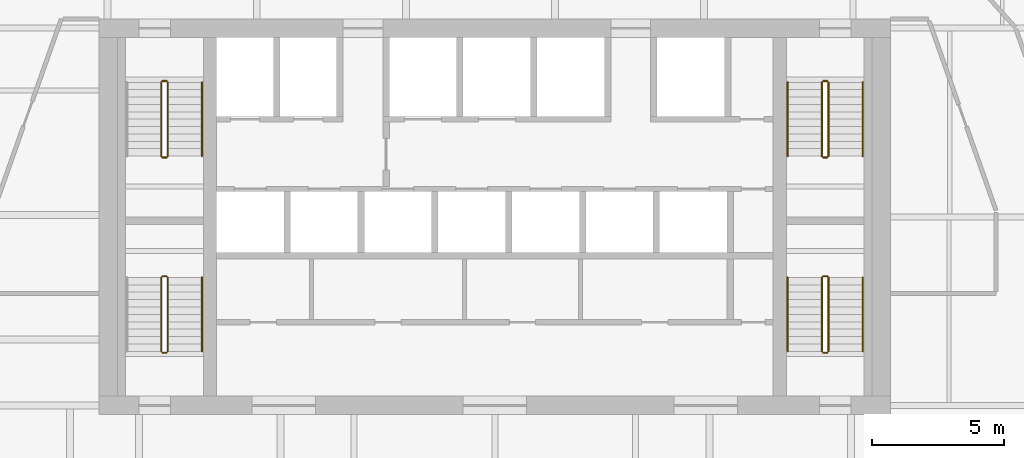
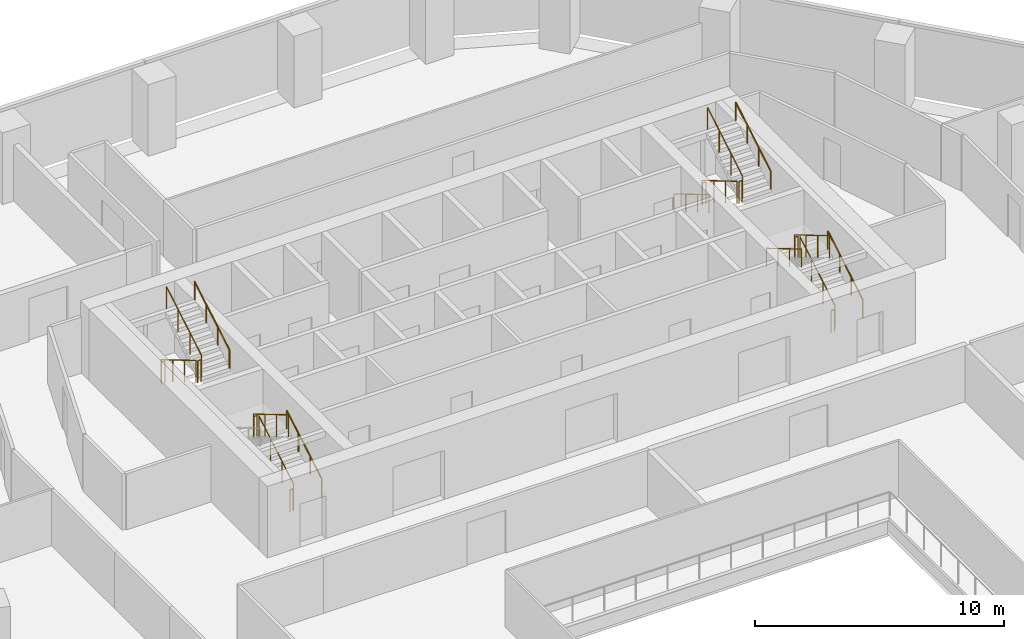
# One storey, part 15 of 16: 22 railings.
"""IFC4 building model written with IfcOpenShell, lengths in metres."""

from ifc_helpers import new_model, si_unit, direction, frame, origin, origin_2d, place, context, subcontext, project, spatial, circle, extrude, material, type_object, element, save


model = new_model("IFC4")

# Units and contexts
model_context = context("Model", 3, precision=1e-05, world=origin(), true_north=direction((0.0, 1.0)))
body_context = subcontext(model_context, "Body", "Model", "MODEL_VIEW")
ifc_project = project(units=[si_unit("LENGTHUNIT", "METRE"), si_unit("AREAUNIT", "SQUARE_METRE"), si_unit("VOLUMEUNIT", "CUBIC_METRE"), si_unit("PLANEANGLEUNIT", "RADIAN"), si_unit("MASSUNIT", "GRAM", prefix="KILO")], contexts=[model_context])

# Site, building, storey
site_placement = place(None, origin())
site = spatial("IfcSite", under=ifc_project, at=site_placement, CompositionType="ELEMENT")
building_placement = place(site_placement, origin())
building = spatial("IfcBuilding", under=site, at=building_placement, Name="Isthmus Gate Tower", CompositionType="ELEMENT")
storey_placement = place(building_placement, frame((0.0, 0.0, 185.39990234375)))
storey = spatial("IfcBuildingStorey", under=building, at=storey_placement, Name="L46", CompositionType="ELEMENT", Elevation=185.39990234375)

# Railings
ifc_material_1 = material(Name="Stainless steel balustrade", Category="steel")
railing_type_1 = type_object("IfcRailingType", Name="STAIR GUARD 1100", PredefinedType="GUARDRAIL", material=ifc_material_1)
railing_1_placement = place(storey_placement, frame((-12.64990234375, 12.60009765625, 0.166015625)))
element("IfcRailing", 1, at=railing_1_placement, inside=storey, type_object=railing_type_1, Name="L46 ST1 stair guard 1", PredefinedType="GUARDRAIL", context=body_context, shape_type="SweptSolid", body=[
    extrude(circle(Radius=0.02392578125, at=origin_2d()), frame((0.0, 0.0, 1.076171875), z_axis=(0.0, -0.860306154799, 0.50977771628), x_axis=(1.0, 0.0, 0.0)), (0.0, 0.0, 1.0), 3.254638671875),
    extrude(circle(Radius=0.02099609375, at=origin_2d()), origin(), (0.0, 0.0, 1.0), 1.052001953125),
    extrude(circle(Radius=0.02099609375, at=origin_2d()), frame((0.0, -0.933349609375, 0.552978515625)), (0.0, 0.0, 1.0), 1.052001953125),
    extrude(circle(Radius=0.02099609375, at=origin_2d()), frame((0.0, -1.86669921875, 1.106201171875)), (0.0, 0.0, 1.0), 1.052001953125),
    extrude(circle(Radius=0.02099609375, at=origin_2d()), frame((0.0, -2.800048828125, 1.6591796875)), (0.0, 0.0, 1.0), 1.052001953125),
])
railing_2_placement = place(storey_placement, frame((-12.60009765625, 9.75, 1.8251953125)))
element("IfcRailing", 2, at=railing_2_placement, inside=storey, type_object=railing_type_1, Name="L46 ST1 stair guard 2", PredefinedType="GUARDRAIL", context=body_context, shape_type="SweptSolid", body=[
    extrude(circle(Radius=0.02392578125, at=origin_2d()), frame((0.0, 0.0, 1.076171875), z_axis=(1.0, 0.0, 0.0), x_axis=(0.0, 1.0, 0.0)), (0.0, 0.0, 1.0), 0.150146484375),
    extrude(circle(Radius=0.02099609375, at=origin_2d()), origin(), (0.0, 0.0, 1.0), 1.052001953125),
    extrude(circle(Radius=0.02099609375, at=origin_2d()), frame((0.150146484375, 0.0, 0.0)), (0.0, 0.0, 1.0), 1.052001953125),
])
railing_3_placement = place(storey_placement, frame((-12.39990234375, 9.800048828125, 1.990966796875)))
element("IfcRailing", 3, at=railing_3_placement, inside=storey, type_object=railing_type_1, Name="L46 ST1 stair guard 3", PredefinedType="GUARDRAIL", context=body_context, shape_type="SweptSolid", body=[
    extrude(circle(Radius=0.02392578125, at=origin_2d()), frame((0.0, 0.0, 1.076171875), z_axis=(0.0, 0.860306154799, 0.50977771628), x_axis=(-1.0, 0.0, 0.0)), (0.0, 0.0, 1.0), 3.254638671875),
    extrude(circle(Radius=0.02099609375, at=origin_2d()), origin(), (0.0, 0.0, 1.0), 1.052001953125),
    extrude(circle(Radius=0.02099609375, at=origin_2d()), frame((0.0, 0.933349609375, 0.552978515625)), (0.0, 0.0, 1.0), 1.052001953125),
    extrude(circle(Radius=0.02099609375, at=origin_2d()), frame((0.0, 1.86669921875, 1.106201171875)), (0.0, 0.0, 1.0), 1.052001953125),
    extrude(circle(Radius=0.02099609375, at=origin_2d()), frame((0.0, 2.800048828125, 1.6591796875)), (0.0, 0.0, 1.0), 1.052001953125),
])
railing_4_placement = place(storey_placement, frame((-12.60009765625, 12.64990234375, 0.0)))
element("IfcRailing", 4, at=railing_4_placement, inside=storey, type_object=railing_type_1, Name="L46 ST1 stair guard 4", PredefinedType="GUARDRAIL", context=body_context, shape_type="SweptSolid", body=[
    extrude(circle(Radius=0.02392578125, at=origin_2d()), frame((0.0, 0.0, 1.076171875), z_axis=(1.0, 0.0, 0.0), x_axis=(0.0, 1.0, 0.0)), (0.0, 0.0, 1.0), 0.150146484375),
    extrude(circle(Radius=0.02099609375, at=origin_2d()), origin(), (0.0, 0.0, 1.0), 1.052001953125),
    extrude(circle(Radius=0.02099609375, at=origin_2d()), frame((0.150146484375, 0.0, 0.0)), (0.0, 0.0, 1.0), 1.052001953125),
])
railing_5_placement = place(storey_placement, frame((12.39990234375, 12.60009765625, 0.166015625)))
element("IfcRailing", 5, at=railing_5_placement, inside=storey, type_object=railing_type_1, Name="L46 ST2 stair guard 1", PredefinedType="GUARDRAIL", context=body_context, shape_type="SweptSolid", body=[
    extrude(circle(Radius=0.02392578125, at=origin_2d()), frame((0.0, 0.0, 1.076171875), z_axis=(0.0, -0.860306154799, 0.50977771628), x_axis=(1.0, 0.0, 0.0)), (0.0, 0.0, 1.0), 3.254638671875),
    extrude(circle(Radius=0.02099609375, at=origin_2d()), origin(), (0.0, 0.0, 1.0), 1.052001953125),
    extrude(circle(Radius=0.02099609375, at=origin_2d()), frame((0.0, -0.933349609375, 0.552978515625)), (0.0, 0.0, 1.0), 1.052001953125),
    extrude(circle(Radius=0.02099609375, at=origin_2d()), frame((0.0, -1.86669921875, 1.106201171875)), (0.0, 0.0, 1.0), 1.052001953125),
    extrude(circle(Radius=0.02099609375, at=origin_2d()), frame((0.0, -2.800048828125, 1.6591796875)), (0.0, 0.0, 1.0), 1.052001953125),
])
railing_6_placement = place(storey_placement, frame((12.449951171875, 9.75, 1.8251953125)))
element("IfcRailing", 6, at=railing_6_placement, inside=storey, type_object=railing_type_1, Name="L46 ST2 stair guard 2", PredefinedType="GUARDRAIL", context=body_context, shape_type="SweptSolid", body=[
    extrude(circle(Radius=0.02392578125, at=origin_2d()), frame((0.0, 0.0, 1.076171875), z_axis=(1.0, 0.0, 0.0), x_axis=(0.0, 1.0, 0.0)), (0.0, 0.0, 1.0), 0.150146484375),
    extrude(circle(Radius=0.02099609375, at=origin_2d()), origin(), (0.0, 0.0, 1.0), 1.052001953125),
    extrude(circle(Radius=0.02099609375, at=origin_2d()), frame((0.150146484375, 0.0, 0.0)), (0.0, 0.0, 1.0), 1.052001953125),
])
railing_7_placement = place(storey_placement, frame((12.64990234375, 9.800048828125, 1.990966796875)))
element("IfcRailing", 7, at=railing_7_placement, inside=storey, type_object=railing_type_1, Name="L46 ST2 stair guard 3", PredefinedType="GUARDRAIL", context=body_context, shape_type="SweptSolid", body=[
    extrude(circle(Radius=0.02392578125, at=origin_2d()), frame((0.0, 0.0, 1.076171875), z_axis=(0.0, 0.860306154799, 0.50977771628), x_axis=(-1.0, 0.0, 0.0)), (0.0, 0.0, 1.0), 3.254638671875),
    extrude(circle(Radius=0.02099609375, at=origin_2d()), origin(), (0.0, 0.0, 1.0), 1.052001953125),
    extrude(circle(Radius=0.02099609375, at=origin_2d()), frame((0.0, 0.933349609375, 0.552978515625)), (0.0, 0.0, 1.0), 1.052001953125),
    extrude(circle(Radius=0.02099609375, at=origin_2d()), frame((0.0, 1.86669921875, 1.106201171875)), (0.0, 0.0, 1.0), 1.052001953125),
    extrude(circle(Radius=0.02099609375, at=origin_2d()), frame((0.0, 2.800048828125, 1.6591796875)), (0.0, 0.0, 1.0), 1.052001953125),
])
railing_8_placement = place(storey_placement, frame((12.449951171875, 12.64990234375, 0.0)))
element("IfcRailing", 8, at=railing_8_placement, inside=storey, type_object=railing_type_1, Name="L46 ST2 stair guard 4", PredefinedType="GUARDRAIL", context=body_context, shape_type="SweptSolid", body=[
    extrude(circle(Radius=0.02392578125, at=origin_2d()), frame((0.0, 0.0, 1.076171875), z_axis=(1.0, 0.0, 0.0), x_axis=(0.0, 1.0, 0.0)), (0.0, 0.0, 1.0), 0.150146484375),
    extrude(circle(Radius=0.02099609375, at=origin_2d()), origin(), (0.0, 0.0, 1.0), 1.052001953125),
    extrude(circle(Radius=0.02099609375, at=origin_2d()), frame((0.150146484375, 0.0, 0.0)), (0.0, 0.0, 1.0), 1.052001953125),
])
railing_9_placement = place(storey_placement, frame((-12.39990234375, 2.39990234375, 0.166015625)))
element("IfcRailing", 9, at=railing_9_placement, inside=storey, type_object=railing_type_1, Name="L46 ST7 stair guard 1", PredefinedType="GUARDRAIL", context=body_context, shape_type="SweptSolid", body=[
    extrude(circle(Radius=0.02392578125, at=origin_2d()), frame((0.0, 0.0, 1.076171875), z_axis=(0.0, 0.860306154799, 0.50977771628), x_axis=(-1.0, 0.0, 0.0)), (0.0, 0.0, 1.0), 3.254638671875),
    extrude(circle(Radius=0.02099609375, at=origin_2d()), origin(), (0.0, 0.0, 1.0), 1.052001953125),
    extrude(circle(Radius=0.02099609375, at=origin_2d()), frame((0.0, 0.933349609375, 0.552978515625)), (0.0, 0.0, 1.0), 1.052001953125),
    extrude(circle(Radius=0.02099609375, at=origin_2d()), frame((0.0, 1.86669921875, 1.106201171875)), (0.0, 0.0, 1.0), 1.052001953125),
    extrude(circle(Radius=0.02099609375, at=origin_2d()), frame((0.0, 2.800048828125, 1.6591796875)), (0.0, 0.0, 1.0), 1.052001953125),
])
railing_10_placement = place(storey_placement, frame((-12.449951171875, 5.25, 1.8251953125)))
element("IfcRailing", 10, at=railing_10_placement, inside=storey, type_object=railing_type_1, Name="L46 ST7 stair guard 2", PredefinedType="GUARDRAIL", context=body_context, shape_type="SweptSolid", body=[
    extrude(circle(Radius=0.02392578125, at=origin_2d()), frame((0.0, 0.0, 1.076171875), z_axis=(-1.0, 0.0, 0.0), x_axis=(0.0, -1.0, 0.0)), (0.0, 0.0, 1.0), 0.150146484375),
    extrude(circle(Radius=0.02099609375, at=origin_2d()), origin(), (0.0, 0.0, 1.0), 1.052001953125),
    extrude(circle(Radius=0.02099609375, at=origin_2d()), frame((-0.150146484375, 0.0, 0.0)), (0.0, 0.0, 1.0), 1.052001953125),
])
railing_11_placement = place(storey_placement, frame((-12.64990234375, 5.199951171875, 1.990966796875)))
element("IfcRailing", 11, at=railing_11_placement, inside=storey, type_object=railing_type_1, Name="L46 ST7 stair guard 3", PredefinedType="GUARDRAIL", context=body_context, shape_type="SweptSolid", body=[
    extrude(circle(Radius=0.02392578125, at=origin_2d()), frame((0.0, 0.0, 1.076171875), z_axis=(0.0, -0.860306154799, 0.50977771628), x_axis=(1.0, 0.0, 0.0)), (0.0, 0.0, 1.0), 3.254638671875),
    extrude(circle(Radius=0.02099609375, at=origin_2d()), origin(), (0.0, 0.0, 1.0), 1.052001953125),
    extrude(circle(Radius=0.02099609375, at=origin_2d()), frame((0.0, -0.933349609375, 0.552978515625)), (0.0, 0.0, 1.0), 1.052001953125),
    extrude(circle(Radius=0.02099609375, at=origin_2d()), frame((0.0, -1.86669921875, 1.106201171875)), (0.0, 0.0, 1.0), 1.052001953125),
    extrude(circle(Radius=0.02099609375, at=origin_2d()), frame((0.0, -2.800048828125, 1.6591796875)), (0.0, 0.0, 1.0), 1.052001953125),
])
railing_12_placement = place(storey_placement, frame((-12.449951171875, 2.35009765625, 0.0)))
element("IfcRailing", 12, at=railing_12_placement, inside=storey, type_object=railing_type_1, Name="L46 ST7 stair guard 4", PredefinedType="GUARDRAIL", context=body_context, shape_type="SweptSolid", body=[
    extrude(circle(Radius=0.02392578125, at=origin_2d()), frame((0.0, 0.0, 1.076171875), z_axis=(-1.0, 0.0, 0.0), x_axis=(0.0, -1.0, 0.0)), (0.0, 0.0, 1.0), 0.150146484375),
    extrude(circle(Radius=0.02099609375, at=origin_2d()), origin(), (0.0, 0.0, 1.0), 1.052001953125),
    extrude(circle(Radius=0.02099609375, at=origin_2d()), frame((-0.150146484375, 0.0, 0.0)), (0.0, 0.0, 1.0), 1.052001953125),
])
railing_13_placement = place(storey_placement, frame((12.64990234375, 2.39990234375, 0.166015625)))
element("IfcRailing", 13, at=railing_13_placement, inside=storey, type_object=railing_type_1, Name="L46 ST8 stair guard 1", PredefinedType="GUARDRAIL", context=body_context, shape_type="SweptSolid", body=[
    extrude(circle(Radius=0.02392578125, at=origin_2d()), frame((0.0, 0.0, 1.076171875), z_axis=(0.0, 0.860306154799, 0.50977771628), x_axis=(-1.0, 0.0, 0.0)), (0.0, 0.0, 1.0), 3.254638671875),
    extrude(circle(Radius=0.02099609375, at=origin_2d()), origin(), (0.0, 0.0, 1.0), 1.052001953125),
    extrude(circle(Radius=0.02099609375, at=origin_2d()), frame((0.0, 0.933349609375, 0.552978515625)), (0.0, 0.0, 1.0), 1.052001953125),
    extrude(circle(Radius=0.02099609375, at=origin_2d()), frame((0.0, 1.86669921875, 1.106201171875)), (0.0, 0.0, 1.0), 1.052001953125),
    extrude(circle(Radius=0.02099609375, at=origin_2d()), frame((0.0, 2.800048828125, 1.6591796875)), (0.0, 0.0, 1.0), 1.052001953125),
])
railing_14_placement = place(storey_placement, frame((12.60009765625, 5.25, 1.8251953125)))
element("IfcRailing", 14, at=railing_14_placement, inside=storey, type_object=railing_type_1, Name="L46 ST8 stair guard 2", PredefinedType="GUARDRAIL", context=body_context, shape_type="SweptSolid", body=[
    extrude(circle(Radius=0.02392578125, at=origin_2d()), frame((0.0, 0.0, 1.076171875), z_axis=(-1.0, 0.0, 0.0), x_axis=(0.0, -1.0, 0.0)), (0.0, 0.0, 1.0), 0.150146484375),
    extrude(circle(Radius=0.02099609375, at=origin_2d()), origin(), (0.0, 0.0, 1.0), 1.052001953125),
    extrude(circle(Radius=0.02099609375, at=origin_2d()), frame((-0.150146484375, 0.0, 0.0)), (0.0, 0.0, 1.0), 1.052001953125),
])
railing_15_placement = place(storey_placement, frame((12.39990234375, 5.199951171875, 1.990966796875)))
element("IfcRailing", 15, at=railing_15_placement, inside=storey, type_object=railing_type_1, Name="L46 ST8 stair guard 3", PredefinedType="GUARDRAIL", context=body_context, shape_type="SweptSolid", body=[
    extrude(circle(Radius=0.02392578125, at=origin_2d()), frame((0.0, 0.0, 1.076171875), z_axis=(0.0, -0.860306154799, 0.50977771628), x_axis=(1.0, 0.0, 0.0)), (0.0, 0.0, 1.0), 3.254638671875),
    extrude(circle(Radius=0.02099609375, at=origin_2d()), origin(), (0.0, 0.0, 1.0), 1.052001953125),
    extrude(circle(Radius=0.02099609375, at=origin_2d()), frame((0.0, -0.933349609375, 0.552978515625)), (0.0, 0.0, 1.0), 1.052001953125),
    extrude(circle(Radius=0.02099609375, at=origin_2d()), frame((0.0, -1.86669921875, 1.106201171875)), (0.0, 0.0, 1.0), 1.052001953125),
    extrude(circle(Radius=0.02099609375, at=origin_2d()), frame((0.0, -2.800048828125, 1.6591796875)), (0.0, 0.0, 1.0), 1.052001953125),
])
railing_16_placement = place(storey_placement, frame((12.60009765625, 2.35009765625, 0.0)))
element("IfcRailing", 16, at=railing_16_placement, inside=storey, type_object=railing_type_1, Name="L46 ST8 stair guard 4", PredefinedType="GUARDRAIL", context=body_context, shape_type="SweptSolid", body=[
    extrude(circle(Radius=0.02392578125, at=origin_2d()), frame((0.0, 0.0, 1.076171875), z_axis=(-1.0, 0.0, 0.0), x_axis=(0.0, -1.0, 0.0)), (0.0, 0.0, 1.0), 0.150146484375),
    extrude(circle(Radius=0.02099609375, at=origin_2d()), origin(), (0.0, 0.0, 1.0), 1.052001953125),
    extrude(circle(Radius=0.02099609375, at=origin_2d()), frame((-0.150146484375, 0.0, 0.0)), (0.0, 0.0, 1.0), 1.052001953125),
])
ifc_material_2 = material(Name="Stainless steel handrail", Category="steel")
railing_type_2 = type_object("IfcRailingType", Name="STAIR HANDRAIL 900", PredefinedType="HANDRAIL", material=ifc_material_2)
railing_17_placement = place(storey_placement, frame((-11.10009765625, 9.800048828125, 1.990966796875)))
element("IfcRailing", 17, at=railing_17_placement, inside=storey, type_object=railing_type_2, Name="L46 ST1 stair handrail 2", PredefinedType="HANDRAIL", context=body_context, shape_type="SweptSolid", body=[
    extrude(circle(Radius=0.02392578125, at=origin_2d()), frame((0.0, 0.0, 0.8759765625), z_axis=(0.0, 0.860306154799, 0.50977771628), x_axis=(-1.0, 0.0, 0.0)), (0.0, 0.0, 1.0), 3.254638671875),
    extrude(circle(Radius=0.02099609375, at=origin_2d()), origin(), (0.0, 0.0, 1.0), 0.851806640625),
    extrude(circle(Radius=0.02099609375, at=origin_2d()), frame((0.0, 0.933349609375, 0.552978515625)), (0.0, 0.0, 1.0), 0.851806640625),
    extrude(circle(Radius=0.02099609375, at=origin_2d()), frame((0.0, 1.86669921875, 1.106201171875)), (0.0, 0.0, 1.0), 0.851806640625),
    extrude(circle(Radius=0.02099609375, at=origin_2d()), frame((0.0, 2.800048828125, 1.6591796875)), (0.0, 0.0, 1.0), 0.851806640625),
])
railing_18_placement = place(storey_placement, frame((11.10009765625, 12.60009765625, 0.166015625)))
element("IfcRailing", 18, at=railing_18_placement, inside=storey, type_object=railing_type_2, Name="L46 ST2 stair handrail 1", PredefinedType="HANDRAIL", context=body_context, shape_type="SweptSolid", body=[
    extrude(circle(Radius=0.02392578125, at=origin_2d()), frame((0.0, 0.0, 0.8759765625), z_axis=(0.0, -0.860306154799, 0.50977771628), x_axis=(1.0, 0.0, 0.0)), (0.0, 0.0, 1.0), 3.254638671875),
    extrude(circle(Radius=0.02099609375, at=origin_2d()), origin(), (0.0, 0.0, 1.0), 0.851806640625),
    extrude(circle(Radius=0.02099609375, at=origin_2d()), frame((0.0, -0.933349609375, 0.552978515625)), (0.0, 0.0, 1.0), 0.851806640625),
    extrude(circle(Radius=0.02099609375, at=origin_2d()), frame((0.0, -1.86669921875, 1.106201171875)), (0.0, 0.0, 1.0), 0.851806640625),
    extrude(circle(Radius=0.02099609375, at=origin_2d()), frame((0.0, -2.800048828125, 1.6591796875)), (0.0, 0.0, 1.0), 0.851806640625),
])
for number, where, name in (
    (19, (13.949951171875, 9.800048828125, 1.990966796875), "L46 ST2 stair handrail 2"),
    (20, (-11.10009765625, 2.39990234375, 0.166015625), "L46 ST7 stair handrail 1"),
    (21, (13.949951171875, 2.39990234375, 0.166015625), "L46 ST8 stair handrail 1"),
):
    element("IfcRailing", number, at=place(storey_placement, frame(where)), inside=storey, type_object=railing_type_2, Name=name, PredefinedType="HANDRAIL", context=body_context, shape_type="SweptSolid", body=[
        extrude(circle(Radius=0.02392578125, at=origin_2d()), frame((0.0, 0.0, 0.8759765625), z_axis=(0.0, 0.860306154799, 0.50977771628), x_axis=(-1.0, 0.0, 0.0)), (0.0, 0.0, 1.0), 3.254638671875),
        extrude(circle(Radius=0.02099609375, at=origin_2d()), origin(), (0.0, 0.0, 1.0), 0.851806640625),
        extrude(circle(Radius=0.02099609375, at=origin_2d()), frame((0.0, 0.933349609375, 0.552978515625)), (0.0, 0.0, 1.0), 0.851806640625),
        extrude(circle(Radius=0.02099609375, at=origin_2d()), frame((0.0, 1.86669921875, 1.106201171875)), (0.0, 0.0, 1.0), 0.851806640625),
        extrude(circle(Radius=0.02099609375, at=origin_2d()), frame((0.0, 2.800048828125, 1.6591796875)), (0.0, 0.0, 1.0), 0.851806640625),
    ])
railing_19_placement = place(storey_placement, frame((11.10009765625, 5.199951171875, 1.990966796875)))
element("IfcRailing", 22, at=railing_19_placement, inside=storey, type_object=railing_type_2, Name="L46 ST8 stair handrail 2", PredefinedType="HANDRAIL", context=body_context, shape_type="SweptSolid", body=[
    extrude(circle(Radius=0.02392578125, at=origin_2d()), frame((0.0, 0.0, 0.8759765625), z_axis=(0.0, -0.860306154799, 0.50977771628), x_axis=(1.0, 0.0, 0.0)), (0.0, 0.0, 1.0), 3.254638671875),
    extrude(circle(Radius=0.02099609375, at=origin_2d()), origin(), (0.0, 0.0, 1.0), 0.851806640625),
    extrude(circle(Radius=0.02099609375, at=origin_2d()), frame((0.0, -0.933349609375, 0.552978515625)), (0.0, 0.0, 1.0), 0.851806640625),
    extrude(circle(Radius=0.02099609375, at=origin_2d()), frame((0.0, -1.86669921875, 1.106201171875)), (0.0, 0.0, 1.0), 0.851806640625),
    extrude(circle(Radius=0.02099609375, at=origin_2d()), frame((0.0, -2.800048828125, 1.6591796875)), (0.0, 0.0, 1.0), 0.851806640625),
])

save(model, "model.ifc")
